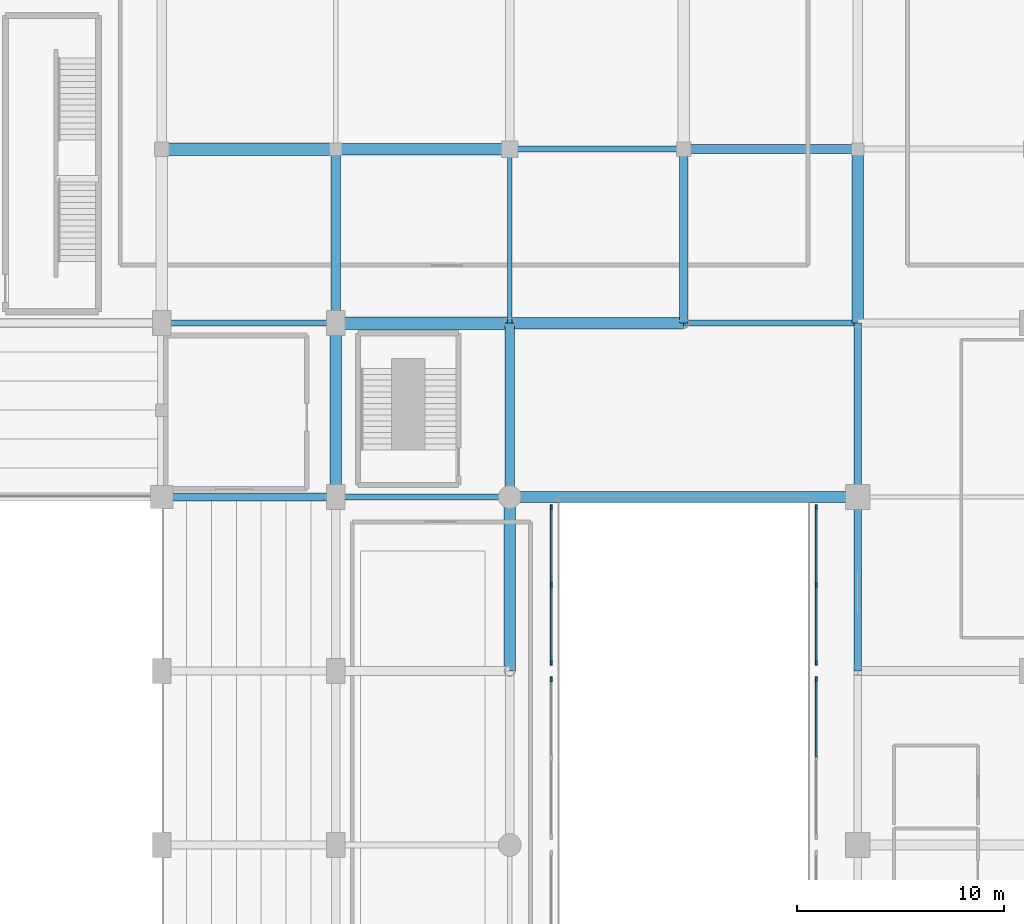
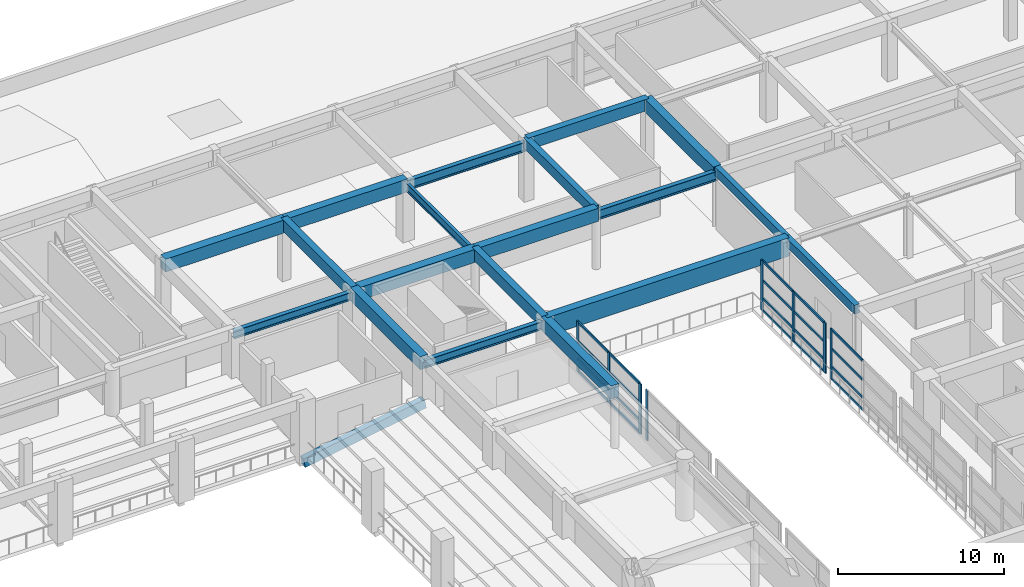
# One storey, part 25 of 60: 28 members, 20 beams, 4 elements without a shape of their own.
"""IFC4 building model written with IfcOpenShell, lengths in metres."""

from ifc_helpers import new_model, si_unit, direction, frame, origin, origin_2d, place, context, subcontext, project, spatial, rectangle, i_section, extrude, material, material_profile, profile_set, type_object, element, aggregate, save


model = new_model("IFC4")

# Units and contexts
model_context = context("Model", 3, precision=1e-05, world=origin(), true_north=direction((0.0, 1.0)))
body_context = subcontext(model_context, "Body", "Model", "MODEL_VIEW")
ifc_project = project(units=[si_unit("LENGTHUNIT", "METRE"), si_unit("AREAUNIT", "SQUARE_METRE"), si_unit("VOLUMEUNIT", "CUBIC_METRE"), si_unit("PLANEANGLEUNIT", "RADIAN"), si_unit("MASSUNIT", "GRAM", prefix="KILO")], contexts=[model_context])

# Site, building, storey
site_placement = place(None, origin())
site = spatial("IfcSite", under=ifc_project, at=site_placement, CompositionType="ELEMENT")
building_placement = place(site_placement, origin())
building = spatial("IfcBuilding", under=site, at=building_placement, Name="Xuanlan Plaza Opera House", CompositionType="ELEMENT")
storey_placement = place(building_placement, frame((0.0, 0.0, 9.89990234375)))
storey = spatial("IfcBuildingStorey", under=building, at=storey_placement, Name="L02", CompositionType="ELEMENT", Elevation=9.89990234375)

# Curtain wall, member
ifc_material_1 = material(Name="Anodised Aluminium 6063-T6 and Low-E Glass", Category="aluminium")
curtain_wall_type = type_object("IfcCurtainWallType", Name="ENV-CW-CW-06", PredefinedType="USERDEFINED", material=ifc_material_1)
curtain_wall_1_placement = place(storey_placement, origin())
curtain_wall_1 = element("IfcCurtainWall", 1, at=curtain_wall_1_placement, inside=storey, type_object=curtain_wall_type, Name="Acoustic Glazed Wall ATR-L02-13", ObjectType="ACOUSTIC GLAZED WALL", PredefinedType="USERDEFINED")
ifc_material_2 = material(Name="Anodised Aluminium 6063-T6", Category="aluminium")
ifc_material_profile_1 = material_profile(ifc_material_2, rectangle(XDim=0.090087890625, YDim=0.25, at=origin_2d()), Name="ALU-M 90x250")
ifc_profile_set_1 = profile_set([ifc_material_profile_1], Name="Anodised Aluminium 6063-T6")
member_type_1 = type_object("IfcMemberType", Name="ENV-CWM-05", PredefinedType="MULLION", material=ifc_profile_set_1)
member_1_placement = place(storey_placement, frame((111.199951171875, 66.804931640625, 0.0), z_axis=(0.0, 0.0, 1.0), x_axis=(-1.0, 0.0, 0.0)))
member_1 = element("IfcMember", 2, at=member_1_placement, type_object=member_type_1, Name="CW-06 mullion 3", PredefinedType="MULLION", context=body_context, shape_type="SweptSolid", body=[
    extrude(rectangle(XDim=0.090087890625, YDim=0.25, at=origin_2d()), origin(), (0.0, 0.0, 1.0), 3.68017578125),
])
aggregate(curtain_wall_1, [member_1])

# Curtain wall, members
curtain_wall_2_placement = place(storey_placement, origin())
curtain_wall_2 = element("IfcCurtainWall", 3, at=curtain_wall_2_placement, inside=storey, type_object=curtain_wall_type, Name="Acoustic Glazed Wall ATR-L02-14", ObjectType="ACOUSTIC GLAZED WALL", PredefinedType="USERDEFINED")
member_2_placement = place(storey_placement, frame((111.199951171875, 67.594970703125, 0.0), z_axis=(0.0, 0.0, 1.0), x_axis=(-1.0, 0.0, 0.0)))
member_2 = element("IfcMember", 4, at=member_2_placement, type_object=member_type_1, Name="CW-06 mullion 1", PredefinedType="MULLION", context=body_context, shape_type="SweptSolid", body=[
    extrude(rectangle(XDim=0.090087890625, YDim=0.25, at=origin_2d()), origin(), (0.0, 0.0, 1.0), 3.68017578125),
])
member_3_placement = place(storey_placement, frame((111.199951171875, 71.35009765625, 0.0), z_axis=(0.0, 0.0, 1.0), x_axis=(-1.0, 0.0, 0.0)))
member_3 = element("IfcMember", 5, at=member_3_placement, type_object=member_type_1, Name="CW-06 mullion 2", PredefinedType="MULLION", context=body_context, shape_type="SweptSolid", body=[
    extrude(rectangle(XDim=0.090087890625, YDim=0.25, at=origin_2d()), origin(), (0.0, 0.0, 1.0), 3.68017578125),
])
member_4_placement = place(storey_placement, frame((111.199951171875, 75.10498046875, 0.0), z_axis=(0.0, 0.0, 1.0), x_axis=(-1.0, 0.0, 0.0)))
member_4 = element("IfcMember", 6, at=member_4_placement, type_object=member_type_1, Name="CW-06 mullion 3", PredefinedType="MULLION", context=body_context, shape_type="SweptSolid", body=[
    extrude(rectangle(XDim=0.090087890625, YDim=0.25, at=origin_2d()), origin(), (0.0, 0.0, 1.0), 3.68017578125),
])

# Curtain wall, member
curtain_wall_3_placement = place(storey_placement, origin())
curtain_wall_3 = element("IfcCurtainWall", 7, at=curtain_wall_3_placement, inside=storey, type_object=curtain_wall_type, Name="Acoustic Glazed Wall ATR-L02-23", ObjectType="ACOUSTIC GLAZED WALL", PredefinedType="USERDEFINED")
member_5_placement = place(storey_placement, frame((124.0, 66.804931640625, 0.0), z_axis=(0.0, 0.0, 1.0), x_axis=(-1.0, 0.0, 0.0)))
member_5 = element("IfcMember", 8, at=member_5_placement, type_object=member_type_1, Name="CW-06 mullion 3", PredefinedType="MULLION", context=body_context, shape_type="SweptSolid", body=[
    extrude(rectangle(XDim=0.090087890625, YDim=0.25, at=origin_2d()), origin(), (0.0, 0.0, 1.0), 3.68017578125),
])

# Curtain wall, members
curtain_wall_4_placement = place(storey_placement, origin())
curtain_wall_4 = element("IfcCurtainWall", 9, at=curtain_wall_4_placement, inside=storey, type_object=curtain_wall_type, Name="Acoustic Glazed Wall ATR-L02-24", ObjectType="ACOUSTIC GLAZED WALL", PredefinedType="USERDEFINED")
member_6_placement = place(storey_placement, frame((124.0, 67.594970703125, 0.0), z_axis=(0.0, 0.0, 1.0), x_axis=(-1.0, 0.0, 0.0)))
member_6 = element("IfcMember", 10, at=member_6_placement, type_object=member_type_1, Name="CW-06 mullion 1", PredefinedType="MULLION", context=body_context, shape_type="SweptSolid", body=[
    extrude(rectangle(XDim=0.090087890625, YDim=0.25, at=origin_2d()), origin(), (0.0, 0.0, 1.0), 3.68017578125),
])
member_7_placement = place(storey_placement, frame((124.0, 71.35009765625, 0.0), z_axis=(0.0, 0.0, 1.0), x_axis=(-1.0, 0.0, 0.0)))
member_7 = element("IfcMember", 11, at=member_7_placement, type_object=member_type_1, Name="CW-06 mullion 2", PredefinedType="MULLION", context=body_context, shape_type="SweptSolid", body=[
    extrude(rectangle(XDim=0.090087890625, YDim=0.25, at=origin_2d()), origin(), (0.0, 0.0, 1.0), 3.68017578125),
])
member_8_placement = place(storey_placement, frame((124.0, 75.10498046875, 0.0), z_axis=(0.0, 0.0, 1.0), x_axis=(-1.0, 0.0, 0.0)))
member_8 = element("IfcMember", 12, at=member_8_placement, type_object=member_type_1, Name="CW-06 mullion 3", PredefinedType="MULLION", context=body_context, shape_type="SweptSolid", body=[
    extrude(rectangle(XDim=0.090087890625, YDim=0.25, at=origin_2d()), origin(), (0.0, 0.0, 1.0), 3.68017578125),
])

# Member
ifc_material_profile_2 = material_profile(ifc_material_2, rectangle(XDim=0.090087890625, YDim=0.179931640625, at=origin_2d()), Name="ALU-T 90x180")
ifc_profile_set_2 = profile_set([ifc_material_profile_2], Name="Anodised Aluminium 6063-T6")
member_type_2 = type_object("IfcMemberType", Name="ENV-CWT-05", PredefinedType="USERDEFINED", material=ifc_profile_set_2)
member_9_placement = place(storey_placement, frame((111.199951171875, 67.639892578125, 0.045166015625), z_axis=(0.0, 1.0, 0.0), x_axis=(-1.0, 0.0, 0.0)))
member_9 = element("IfcMember", 13, at=member_9_placement, type_object=member_type_2, Name="CW-06 transom 1.1", ObjectType="TRANSOM", PredefinedType="USERDEFINED", context=body_context, shape_type="SweptSolid", body=[
    extrude(rectangle(XDim=0.090087890625, YDim=0.179931640625, at=origin_2d()), origin(), (0.0, 0.0, 1.0), 3.6650390625),
])

member_10_placement = place(storey_placement, frame((111.199951171875, 67.639892578125, 0.9501953125), z_axis=(0.0, 1.0, 0.0), x_axis=(-1.0, 0.0, 0.0)))
member_10 = element("IfcMember", 14, at=member_10_placement, type_object=member_type_2, Name="CW-06 transom 1.2", ObjectType="TRANSOM", PredefinedType="USERDEFINED", context=body_context, shape_type="SweptSolid", body=[
    extrude(rectangle(XDim=0.090087890625, YDim=0.179931640625, at=origin_2d()), origin(), (0.0, 0.0, 1.0), 3.6650390625),
])

member_11_placement = place(storey_placement, frame((111.199951171875, 67.639892578125, 2.25), z_axis=(0.0, 1.0, 0.0), x_axis=(-1.0, 0.0, 0.0)))
member_11 = element("IfcMember", 15, at=member_11_placement, type_object=member_type_2, Name="CW-06 transom 1.3", ObjectType="TRANSOM", PredefinedType="USERDEFINED", context=body_context, shape_type="SweptSolid", body=[
    extrude(rectangle(XDim=0.090087890625, YDim=0.179931640625, at=origin_2d()), origin(), (0.0, 0.0, 1.0), 3.6650390625),
])

member_12_placement = place(storey_placement, frame((111.199951171875, 67.639892578125, 3.635009765625), z_axis=(0.0, 1.0, 0.0), x_axis=(-1.0, 0.0, 0.0)))
member_12 = element("IfcMember", 16, at=member_12_placement, type_object=member_type_2, Name="CW-06 transom 1.4", ObjectType="TRANSOM", PredefinedType="USERDEFINED", context=body_context, shape_type="SweptSolid", body=[
    extrude(rectangle(XDim=0.090087890625, YDim=0.179931640625, at=origin_2d()), origin(), (0.0, 0.0, 1.0), 3.6650390625),
])

member_13_placement = place(storey_placement, frame((111.199951171875, 71.39501953125, 0.045166015625), z_axis=(0.0, 1.0, 0.0), x_axis=(-1.0, 0.0, 0.0)))
member_13 = element("IfcMember", 17, at=member_13_placement, type_object=member_type_2, Name="CW-06 transom 2.1", ObjectType="TRANSOM", PredefinedType="USERDEFINED", context=body_context, shape_type="SweptSolid", body=[
    extrude(rectangle(XDim=0.090087890625, YDim=0.179931640625, at=origin_2d()), origin(), (0.0, 0.0, 1.0), 3.6650390625),
])

member_14_placement = place(storey_placement, frame((111.199951171875, 71.39501953125, 0.9501953125), z_axis=(0.0, 1.0, 0.0), x_axis=(-1.0, 0.0, 0.0)))
member_14 = element("IfcMember", 18, at=member_14_placement, type_object=member_type_2, Name="CW-06 transom 2.2", ObjectType="TRANSOM", PredefinedType="USERDEFINED", context=body_context, shape_type="SweptSolid", body=[
    extrude(rectangle(XDim=0.090087890625, YDim=0.179931640625, at=origin_2d()), origin(), (0.0, 0.0, 1.0), 3.6650390625),
])

member_15_placement = place(storey_placement, frame((111.199951171875, 71.39501953125, 2.25), z_axis=(0.0, 1.0, 0.0), x_axis=(-1.0, 0.0, 0.0)))
member_15 = element("IfcMember", 19, at=member_15_placement, type_object=member_type_2, Name="CW-06 transom 2.3", ObjectType="TRANSOM", PredefinedType="USERDEFINED", context=body_context, shape_type="SweptSolid", body=[
    extrude(rectangle(XDim=0.090087890625, YDim=0.179931640625, at=origin_2d()), origin(), (0.0, 0.0, 1.0), 3.6650390625),
])

member_16_placement = place(storey_placement, frame((111.199951171875, 71.39501953125, 3.635009765625), z_axis=(0.0, 1.0, 0.0), x_axis=(-1.0, 0.0, 0.0)))
member_16 = element("IfcMember", 20, at=member_16_placement, type_object=member_type_2, Name="CW-06 transom 2.4", ObjectType="TRANSOM", PredefinedType="USERDEFINED", context=body_context, shape_type="SweptSolid", body=[
    extrude(rectangle(XDim=0.090087890625, YDim=0.179931640625, at=origin_2d()), origin(), (0.0, 0.0, 1.0), 3.6650390625),
])

aggregate(curtain_wall_2, [member_2, member_3, member_4, member_9, member_10, member_11, member_12, member_13, member_14, member_15, member_16])

member_17_placement = place(storey_placement, frame((124.0, 63.044921875, 0.045166015625), z_axis=(0.0, 1.0, 0.0), x_axis=(-1.0, 0.0, 0.0)))
member_17 = element("IfcMember", 21, at=member_17_placement, type_object=member_type_2, Name="CW-06 transom 2.1", ObjectType="TRANSOM", PredefinedType="USERDEFINED", context=body_context, shape_type="SweptSolid", body=[
    extrude(rectangle(XDim=0.090087890625, YDim=0.179931640625, at=origin_2d()), origin(), (0.0, 0.0, 1.0), 3.715087890625),
])

member_18_placement = place(storey_placement, frame((124.0, 63.044921875, 0.9501953125), z_axis=(0.0, 1.0, 0.0), x_axis=(-1.0, 0.0, 0.0)))
member_18 = element("IfcMember", 22, at=member_18_placement, type_object=member_type_2, Name="CW-06 transom 2.2", ObjectType="TRANSOM", PredefinedType="USERDEFINED", context=body_context, shape_type="SweptSolid", body=[
    extrude(rectangle(XDim=0.090087890625, YDim=0.179931640625, at=origin_2d()), origin(), (0.0, 0.0, 1.0), 3.715087890625),
])

member_19_placement = place(storey_placement, frame((124.0, 63.044921875, 2.25), z_axis=(0.0, 1.0, 0.0), x_axis=(-1.0, 0.0, 0.0)))
member_19 = element("IfcMember", 23, at=member_19_placement, type_object=member_type_2, Name="CW-06 transom 2.3", ObjectType="TRANSOM", PredefinedType="USERDEFINED", context=body_context, shape_type="SweptSolid", body=[
    extrude(rectangle(XDim=0.090087890625, YDim=0.179931640625, at=origin_2d()), origin(), (0.0, 0.0, 1.0), 3.715087890625),
])

member_20_placement = place(storey_placement, frame((124.0, 63.044921875, 3.635009765625), z_axis=(0.0, 1.0, 0.0), x_axis=(-1.0, 0.0, 0.0)))
member_20 = element("IfcMember", 24, at=member_20_placement, type_object=member_type_2, Name="CW-06 transom 2.4", ObjectType="TRANSOM", PredefinedType="USERDEFINED", context=body_context, shape_type="SweptSolid", body=[
    extrude(rectangle(XDim=0.090087890625, YDim=0.179931640625, at=origin_2d()), origin(), (0.0, 0.0, 1.0), 3.715087890625),
])

aggregate(curtain_wall_3, [member_5, member_17, member_18, member_19, member_20])

member_21_placement = place(storey_placement, frame((124.0, 67.639892578125, 0.045166015625), z_axis=(0.0, 1.0, 0.0), x_axis=(-1.0, 0.0, 0.0)))
member_21 = element("IfcMember", 25, at=member_21_placement, type_object=member_type_2, Name="CW-06 transom 1.1", ObjectType="TRANSOM", PredefinedType="USERDEFINED", context=body_context, shape_type="SweptSolid", body=[
    extrude(rectangle(XDim=0.090087890625, YDim=0.179931640625, at=origin_2d()), origin(), (0.0, 0.0, 1.0), 3.6650390625),
])

member_22_placement = place(storey_placement, frame((124.0, 67.639892578125, 0.9501953125), z_axis=(0.0, 1.0, 0.0), x_axis=(-1.0, 0.0, 0.0)))
member_22 = element("IfcMember", 26, at=member_22_placement, type_object=member_type_2, Name="CW-06 transom 1.2", ObjectType="TRANSOM", PredefinedType="USERDEFINED", context=body_context, shape_type="SweptSolid", body=[
    extrude(rectangle(XDim=0.090087890625, YDim=0.179931640625, at=origin_2d()), origin(), (0.0, 0.0, 1.0), 3.6650390625),
])

member_23_placement = place(storey_placement, frame((124.0, 67.639892578125, 2.25), z_axis=(0.0, 1.0, 0.0), x_axis=(-1.0, 0.0, 0.0)))
member_23 = element("IfcMember", 27, at=member_23_placement, type_object=member_type_2, Name="CW-06 transom 1.3", ObjectType="TRANSOM", PredefinedType="USERDEFINED", context=body_context, shape_type="SweptSolid", body=[
    extrude(rectangle(XDim=0.090087890625, YDim=0.179931640625, at=origin_2d()), origin(), (0.0, 0.0, 1.0), 3.6650390625),
])

member_24_placement = place(storey_placement, frame((124.0, 67.639892578125, 3.635009765625), z_axis=(0.0, 1.0, 0.0), x_axis=(-1.0, 0.0, 0.0)))
member_24 = element("IfcMember", 28, at=member_24_placement, type_object=member_type_2, Name="CW-06 transom 1.4", ObjectType="TRANSOM", PredefinedType="USERDEFINED", context=body_context, shape_type="SweptSolid", body=[
    extrude(rectangle(XDim=0.090087890625, YDim=0.179931640625, at=origin_2d()), origin(), (0.0, 0.0, 1.0), 3.6650390625),
])

member_25_placement = place(storey_placement, frame((124.0, 71.39501953125, 0.045166015625), z_axis=(0.0, 1.0, 0.0), x_axis=(-1.0, 0.0, 0.0)))
member_25 = element("IfcMember", 29, at=member_25_placement, type_object=member_type_2, Name="CW-06 transom 2.1", ObjectType="TRANSOM", PredefinedType="USERDEFINED", context=body_context, shape_type="SweptSolid", body=[
    extrude(rectangle(XDim=0.090087890625, YDim=0.179931640625, at=origin_2d()), origin(), (0.0, 0.0, 1.0), 3.6650390625),
])

member_26_placement = place(storey_placement, frame((124.0, 71.39501953125, 0.9501953125), z_axis=(0.0, 1.0, 0.0), x_axis=(-1.0, 0.0, 0.0)))
member_26 = element("IfcMember", 30, at=member_26_placement, type_object=member_type_2, Name="CW-06 transom 2.2", ObjectType="TRANSOM", PredefinedType="USERDEFINED", context=body_context, shape_type="SweptSolid", body=[
    extrude(rectangle(XDim=0.090087890625, YDim=0.179931640625, at=origin_2d()), origin(), (0.0, 0.0, 1.0), 3.6650390625),
])

member_27_placement = place(storey_placement, frame((124.0, 71.39501953125, 2.25), z_axis=(0.0, 1.0, 0.0), x_axis=(-1.0, 0.0, 0.0)))
member_27 = element("IfcMember", 31, at=member_27_placement, type_object=member_type_2, Name="CW-06 transom 2.3", ObjectType="TRANSOM", PredefinedType="USERDEFINED", context=body_context, shape_type="SweptSolid", body=[
    extrude(rectangle(XDim=0.090087890625, YDim=0.179931640625, at=origin_2d()), origin(), (0.0, 0.0, 1.0), 3.6650390625),
])

member_28_placement = place(storey_placement, frame((124.0, 71.39501953125, 3.635009765625), z_axis=(0.0, 1.0, 0.0), x_axis=(-1.0, 0.0, 0.0)))
member_28 = element("IfcMember", 32, at=member_28_placement, type_object=member_type_2, Name="CW-06 transom 2.4", ObjectType="TRANSOM", PredefinedType="USERDEFINED", context=body_context, shape_type="SweptSolid", body=[
    extrude(rectangle(XDim=0.090087890625, YDim=0.179931640625, at=origin_2d()), origin(), (0.0, 0.0, 1.0), 3.6650390625),
])

aggregate(curtain_wall_4, [member_6, member_7, member_8, member_21, member_22, member_23, member_24, member_25, member_26, member_27, member_28])

# Beams
ifc_material_3 = material(Name="Concrete C50", Category="concrete")
ifc_material_profile_3 = material_profile(ifc_material_3, rectangle(XDim=0.60009765625, YDim=0.949951171875, at=origin_2d()), Name="RC-BM 600x950")
ifc_profile_set_3 = profile_set([ifc_material_profile_3], Name="Concrete C50")
beam_type_1 = type_object("IfcBeamType", Name="STR-BM-B-01", PredefinedType="BEAM", material=ifc_profile_set_3)
beam_1_placement = place(storey_placement, frame((100.800048828125, 84.0, 4.025146484375), z_axis=(1.0, 0.0, 0.0), x_axis=(0.0, 1.0, 0.0)))
element("IfcBeam", 33, at=beam_1_placement, inside=storey, type_object=beam_type_1, Name="Grid Beam X L02 13-14/K", PredefinedType="BEAM", context=body_context, shape_type="SweptSolid", body=[
    extrude(rectangle(XDim=0.60009765625, YDim=0.949951171875, at=origin_2d()), origin(), (0.0, 0.0, 1.0), 8.39990234375),
])
beam_2_placement = place(storey_placement, frame((92.39990234375, 92.39990234375, 4.025146484375), z_axis=(1.0, 0.0, 0.0), x_axis=(0.0, 1.0, 0.0)))
element("IfcBeam", 34, at=beam_2_placement, inside=storey, type_object=beam_type_1, Name="Grid Beam X L02 12-13/L", PredefinedType="BEAM", context=body_context, shape_type="SweptSolid", body=[
    extrude(rectangle(XDim=0.60009765625, YDim=0.949951171875, at=origin_2d()), origin(), (0.0, 0.0, 1.0), 8.400146484375),
])
ifc_material_profile_4 = material_profile(ifc_material_3, rectangle(XDim=0.550048828125, YDim=0.949951171875, at=origin_2d()), Name="RC-BM 550x950")
ifc_profile_set_4 = profile_set([ifc_material_profile_4], Name="Concrete C50")
beam_type_2 = type_object("IfcBeamType", Name="STR-BM-B-02", PredefinedType="BEAM", material=ifc_profile_set_4)
beam_3_placement = place(storey_placement, frame((109.199951171875, 84.0, 4.025146484375), z_axis=(1.0, 0.0, 0.0), x_axis=(0.0, 1.0, 0.0)))
element("IfcBeam", 35, at=beam_3_placement, inside=storey, type_object=beam_type_2, Name="Grid Beam X L02 14-15/K", PredefinedType="BEAM", context=body_context, shape_type="SweptSolid", body=[
    extrude(rectangle(XDim=0.550048828125, YDim=0.949951171875, at=origin_2d()), origin(), (0.0, 0.0, 1.0), 8.400146484375),
])
for number, where, z_axis, x_axis, name in (
    (36, (100.800048828125, 92.39990234375, 4.025146484375), (1.0, 0.0, 0.0), (0.0, 1.0, 0.0), "Grid Beam X L02 13-14/L"),
    (37, (100.800048828125, 75.60009765625, 4.025146484375), (0.0, 1.0, 0.0), (-1.0, 0.0, 0.0), "Grid Beam Y L02 13/J-K"),
):
    element("IfcBeam", number, at=place(storey_placement, frame(where, z_axis=z_axis, x_axis=x_axis)), inside=storey, type_object=beam_type_2, Name=name, PredefinedType="BEAM", context=body_context, shape_type="SweptSolid", body=[
        extrude(rectangle(XDim=0.550048828125, YDim=0.949951171875, at=origin_2d()), origin(), (0.0, 0.0, 1.0), 8.39990234375),
    ])
beam_4_placement = place(storey_placement, frame((109.199951171875, 67.199951171875, 4.025146484375), z_axis=(0.0, 1.0, 0.0), x_axis=(-1.0, 0.0, 0.0)))
element("IfcBeam", 38, at=beam_4_placement, inside=storey, type_object=beam_type_2, Name="Grid Beam Y L02 14/I-J", PredefinedType="BEAM", context=body_context, shape_type="SweptSolid", body=[
    extrude(rectangle(XDim=0.550048828125, YDim=0.949951171875, at=origin_2d()), origin(), (0.0, 0.0, 1.0), 8.400146484375),
])
beam_5_placement = place(storey_placement, frame((126.0, 84.0, 4.025146484375), z_axis=(0.0, 1.0, 0.0), x_axis=(-1.0, 0.0, 0.0)))
element("IfcBeam", 39, at=beam_5_placement, inside=storey, type_object=beam_type_2, Name="Grid Beam Y L02 16/K-L", PredefinedType="BEAM", context=body_context, shape_type="SweptSolid", body=[
    extrude(rectangle(XDim=0.550048828125, YDim=0.949951171875, at=origin_2d()), origin(), (0.0, 0.0, 1.0), 8.39990234375),
])
ifc_material_4 = material(Name="Concrete C40", Category="concrete")
ifc_material_profile_5 = material_profile(ifc_material_4, rectangle(XDim=0.449951171875, YDim=0.85009765625, at=origin_2d()), Name="RC-BM 450x850")
ifc_profile_set_5 = profile_set([ifc_material_profile_5], Name="Concrete C40")
beam_type_3 = type_object("IfcBeamType", Name="STR-BM-B-04", PredefinedType="BEAM", material=ifc_profile_set_5)
for number, where, z_axis, x_axis, name in (
    (40, (117.60009765625, 92.39990234375, 4.0751953125), (1.0, 0.0, 0.0), (0.0, 1.0, 0.0), "Grid Beam X L02 15-16/L"),
    (41, (100.800048828125, 84.0, 4.0751953125), (0.0, 1.0, 0.0), (-1.0, 0.0, 0.0), "Grid Beam Y L02 13/K-L"),
    (42, (109.199951171875, 75.60009765625, 4.0751953125), (0.0, 1.0, 0.0), (-1.0, 0.0, 0.0), "Grid Beam Y L02 14/J-K"),
):
    element("IfcBeam", number, at=place(storey_placement, frame(where, z_axis=z_axis, x_axis=x_axis)), inside=storey, type_object=beam_type_3, Name=name, PredefinedType="BEAM", context=body_context, shape_type="SweptSolid", body=[
        extrude(rectangle(XDim=0.449951171875, YDim=0.85009765625, at=origin_2d()), origin(), (0.0, 0.0, 1.0), 8.39990234375),
    ])
ifc_material_profile_6 = material_profile(ifc_material_4, rectangle(XDim=0.39990234375, YDim=0.75, at=origin_2d()), Name="RC-BM 400x750")
ifc_profile_set_6 = profile_set([ifc_material_profile_6], Name="Concrete C40")
beam_type_4 = type_object("IfcBeamType", Name="STR-BM-B-06", PredefinedType="BEAM", material=ifc_profile_set_6)
beam_6_placement = place(storey_placement, frame((117.60009765625, 84.0, 4.125), z_axis=(0.0, 1.0, 0.0), x_axis=(-1.0, 0.0, 0.0)))
element("IfcBeam", 43, at=beam_6_placement, inside=storey, type_object=beam_type_4, Name="Grid Beam Y L02 15/K-L", PredefinedType="BEAM", context=body_context, shape_type="SweptSolid", body=[
    extrude(rectangle(XDim=0.39990234375, YDim=0.75, at=origin_2d()), origin(), (0.0, 0.0, 1.0), 8.39990234375),
])
ifc_material_profile_7 = material_profile(ifc_material_4, rectangle(XDim=0.35009765625, YDim=0.64990234375, at=origin_2d()), Name="RC-BM 350x650")
ifc_profile_set_7 = profile_set([ifc_material_profile_7], Name="Concrete C40")
beam_type_5 = type_object("IfcBeamType", Name="STR-BM-B-08", PredefinedType="BEAM", material=ifc_profile_set_7)
beam_7_placement = place(storey_placement, frame((126.0, 67.199951171875, 4.175048828125), z_axis=(0.0, 1.0, 0.0), x_axis=(-1.0, 0.0, 0.0)))
element("IfcBeam", 44, at=beam_7_placement, inside=storey, type_object=beam_type_5, Name="Grid Beam Y L02 16/I-J", PredefinedType="BEAM", context=body_context, shape_type="SweptSolid", body=[
    extrude(rectangle(XDim=0.35009765625, YDim=0.64990234375, at=origin_2d()), origin(), (0.0, 0.0, 1.0), 8.400146484375),
])
beam_8_placement = place(storey_placement, frame((126.0, 75.60009765625, 4.175048828125), z_axis=(0.0, 1.0, 0.0), x_axis=(-1.0, 0.0, 0.0)))
element("IfcBeam", 45, at=beam_8_placement, inside=storey, type_object=beam_type_5, Name="Grid Beam Y L02 16/J-K", PredefinedType="BEAM", context=body_context, shape_type="SweptSolid", body=[
    extrude(rectangle(XDim=0.35009765625, YDim=0.64990234375, at=origin_2d()), origin(), (0.0, 0.0, 1.0), 8.39990234375),
])
ifc_material_profile_8 = material_profile(ifc_material_3, rectangle(XDim=0.550048828125, YDim=1.35009765625, at=origin_2d()), Name="RC-SPD 550x1350")
ifc_profile_set_8 = profile_set([ifc_material_profile_8], Name="Concrete C50")
beam_type_6 = type_object("IfcBeamType", Name="STR-BM-LG-SP1", PredefinedType="SPANDREL", material=ifc_profile_set_8)
beam_9_placement = place(storey_placement, frame((109.199951171875, 75.60009765625, 3.8251953125), z_axis=(1.0, 0.0, 0.0), x_axis=(0.0, 1.0, 0.0)))
element("IfcBeam", 46, at=beam_9_placement, inside=storey, type_object=beam_type_6, Name="Grid Beam X L02 14-16/J", PredefinedType="SPANDREL", context=body_context, shape_type="SweptSolid", body=[
    extrude(rectangle(XDim=0.550048828125, YDim=1.35009765625, at=origin_2d()), origin(), (0.0, 0.0, 1.0), 16.800048828125),
])
ifc_material_profile_9 = material_profile(ifc_material_4, rectangle(XDim=0.39990234375, YDim=0.679931640625, at=origin_2d()), Name="RC-RKR 400x680")
ifc_profile_set_9 = profile_set([ifc_material_profile_9], Name="Concrete C40")
beam_type_7 = type_object("IfcBeamType", Name="STR-BM-RK-02", PredefinedType="BEAM", material=ifc_profile_set_9)
beam_10_placement = place(storey_placement, frame((92.39990234375, 75.60009765625, -0.33984375), z_axis=(0.985623890385, 0.0, 0.168954273999), x_axis=(0.0, 1.0, 0.0)))
element("IfcBeam", 47, at=beam_10_placement, inside=storey, type_object=beam_type_7, Name="Auditorium Tier Raker Beam L02 Y75", PredefinedType="BEAM", context=body_context, shape_type="SweptSolid", body=[
    extrude(rectangle(XDim=0.39990234375, YDim=0.679931640625, at=origin_2d()), origin(), (0.0, 0.0, 1.0), 8.522705078125),
])
ifc_material_5 = material(Name="Steel Q355B", Category="steel")
ifc_material_profile_10 = material_profile(ifc_material_5, i_section(OverallWidth=0.300048828125, OverallDepth=0.699951171875, WebThickness=0.012939453125, FlangeThickness=0.02392578125, FilletRadius=0.02392578125, at=origin_2d()), Name="HN 700x300x13x24")
ifc_profile_set_10 = profile_set([ifc_material_profile_10], Name="Steel Q355B")
beam_type_8 = type_object("IfcBeamType", Name="STR-BM-SB-03", PredefinedType="BEAM", material=ifc_profile_set_10)
beam_11_placement = place(storey_placement, frame((117.60009765625, 84.0, 3.885009765625), z_axis=(1.0, 0.0, 0.0), x_axis=(0.0, 1.0, 0.0)))
element("IfcBeam", 48, at=beam_11_placement, inside=storey, type_object=beam_type_8, Name="Grid Beam X L02 15-16/K", PredefinedType="BEAM", context=body_context, shape_type="SweptSolid", body=[
    extrude(i_section(OverallWidth=0.300048828125, OverallDepth=0.699951171875, WebThickness=0.012939453125, FlangeThickness=0.02392578125, FilletRadius=0.02392578125, at=origin_2d()), origin(), (0.0, 0.0, 1.0), 8.39990234375),
])
beam_12_placement = place(storey_placement, frame((109.199951171875, 92.39990234375, 3.885009765625), z_axis=(1.0, 0.0, 0.0), x_axis=(0.0, 1.0, 0.0)))
element("IfcBeam", 49, at=beam_12_placement, inside=storey, type_object=beam_type_8, Name="Grid Beam X L02 14-15/L", PredefinedType="BEAM", context=body_context, shape_type="SweptSolid", body=[
    extrude(i_section(OverallWidth=0.300048828125, OverallDepth=0.699951171875, WebThickness=0.012939453125, FlangeThickness=0.02392578125, FilletRadius=0.02392578125, at=origin_2d()), origin(), (0.0, 0.0, 1.0), 8.400146484375),
])
ifc_material_profile_11 = material_profile(ifc_material_5, i_section(OverallWidth=0.199951171875, OverallDepth=0.60009765625, WebThickness=0.010986328125, FlangeThickness=0.01708984375, FilletRadius=0.02197265625, at=origin_2d()), Name="HN 600x200x11x17")
ifc_profile_set_11 = profile_set([ifc_material_profile_11], Name="Steel Q355B")
beam_type_9 = type_object("IfcBeamType", Name="STR-BM-SB-04", PredefinedType="BEAM", material=ifc_profile_set_11)
beam_13_placement = place(storey_placement, frame((109.199951171875, 84.0, 3.93505859375), z_axis=(0.0, 1.0, 0.0), x_axis=(-1.0, 0.0, 0.0)))
element("IfcBeam", 50, at=beam_13_placement, inside=storey, type_object=beam_type_9, Name="Grid Beam Y L02 14/K-L", PredefinedType="BEAM", context=body_context, shape_type="SweptSolid", body=[
    extrude(i_section(OverallWidth=0.199951171875, OverallDepth=0.60009765625, WebThickness=0.010986328125, FlangeThickness=0.01708984375, FilletRadius=0.02197265625, at=origin_2d()), origin(), (0.0, 0.0, 1.0), 8.39990234375),
])
ifc_material_profile_12 = material_profile(ifc_material_5, i_section(OverallWidth=0.300048828125, OverallDepth=0.587890625, WebThickness=0.011962890625, FlangeThickness=0.02001953125, FilletRadius=0.02392578125, at=origin_2d()), Name="HM 588x300x12x20")
ifc_profile_set_12 = profile_set([ifc_material_profile_12], Name="Steel Q355B")
beam_type_10 = type_object("IfcBeamType", Name="STR-BM-SB-06", PredefinedType="BEAM", material=ifc_profile_set_12)
beam_14_placement = place(storey_placement, frame((100.800048828125, 75.60009765625, 3.941162109375), z_axis=(1.0, 0.0, 0.0), x_axis=(0.0, 1.0, 0.0)))
element("IfcBeam", 51, at=beam_14_placement, inside=storey, type_object=beam_type_10, Name="Grid Beam X L02 13-14/J", PredefinedType="BEAM", context=body_context, shape_type="SweptSolid", body=[
    extrude(i_section(OverallWidth=0.300048828125, OverallDepth=0.587890625, WebThickness=0.011962890625, FlangeThickness=0.02001953125, FilletRadius=0.02392578125, at=origin_2d()), origin(), (0.0, 0.0, 1.0), 8.39990234375),
])
beam_15_placement = place(storey_placement, frame((92.39990234375, 84.0, 3.941162109375), z_axis=(1.0, 0.0, 0.0), x_axis=(0.0, 1.0, 0.0)))
element("IfcBeam", 52, at=beam_15_placement, inside=storey, type_object=beam_type_10, Name="Grid Beam X L02 12-13/K", PredefinedType="BEAM", context=body_context, shape_type="SweptSolid", body=[
    extrude(i_section(OverallWidth=0.300048828125, OverallDepth=0.587890625, WebThickness=0.011962890625, FlangeThickness=0.02001953125, FilletRadius=0.02392578125, at=origin_2d()), origin(), (0.0, 0.0, 1.0), 8.400146484375),
])

save(model, "model.ifc")
